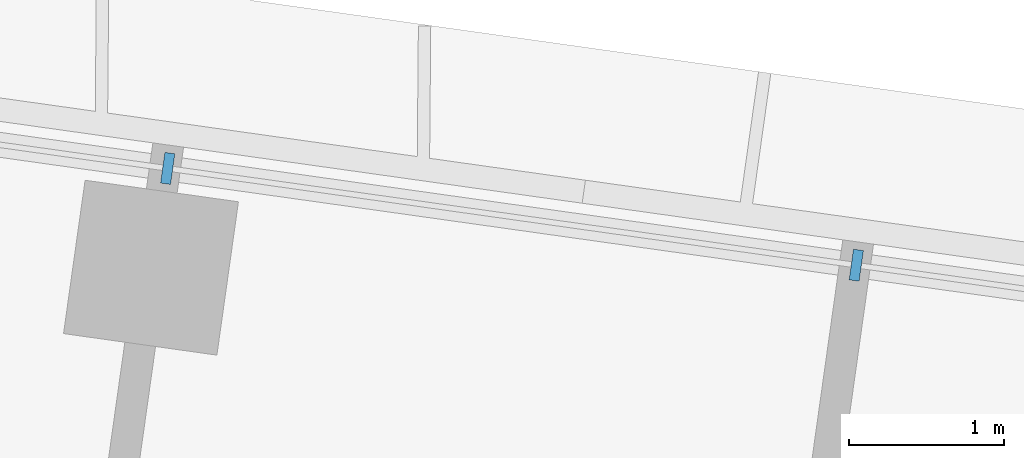
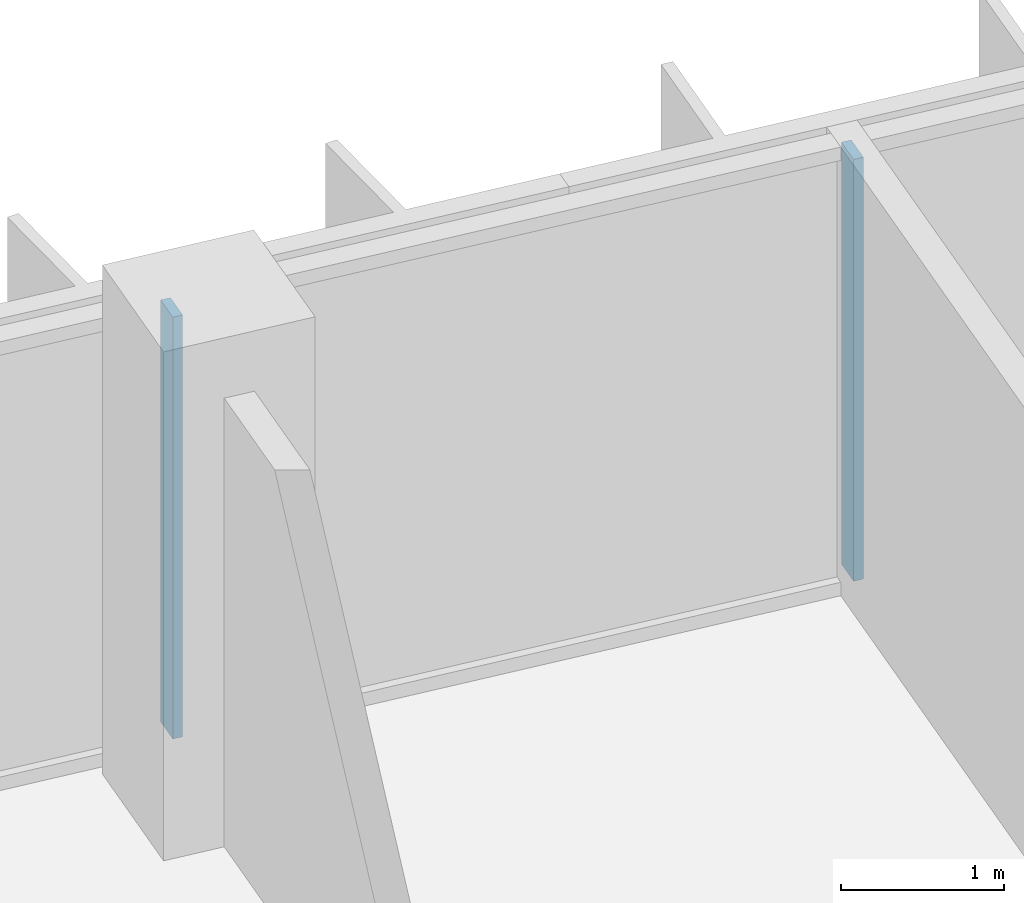
# One storey, part 3 of 25: 2 members, 1 element without a shape of its own.
"""IFC4 building model written with IfcOpenShell, lengths in metres."""

from ifc_helpers import new_model, si_unit, direction, frame, origin, origin_2d, place, context, subcontext, project, spatial, rectangle, extrude, material, material_profile, profile_set, type_object, element, aggregate, save


model = new_model("IFC4")

# Units and contexts
model_context = context("Model", 3, precision=1e-05, world=origin(), true_north=direction((0.0, 1.0)))
body_context = subcontext(model_context, "Body", "Model", "MODEL_VIEW")
ifc_project = project(units=[si_unit("LENGTHUNIT", "METRE"), si_unit("AREAUNIT", "SQUARE_METRE"), si_unit("VOLUMEUNIT", "CUBIC_METRE"), si_unit("PLANEANGLEUNIT", "RADIAN"), si_unit("MASSUNIT", "GRAM", prefix="KILO")], contexts=[model_context])

# Site, building, storey
site_placement = place(None, origin())
site = spatial("IfcSite", under=ifc_project, at=site_placement, CompositionType="ELEMENT")
building_placement = place(site_placement, origin())
building = spatial("IfcBuilding", under=site, at=building_placement, Name="Mirante Cascada Hotel Towers", CompositionType="ELEMENT")
storey_placement = place(building_placement, frame((0.0, 0.0, 69.9)))
storey = spatial("IfcBuildingStorey", under=building, at=storey_placement, Name="L14", CompositionType="ELEMENT", Elevation=69.9)

# Curtain wall, members
ifc_material_1 = material(Name="Aluminium mullion and transom frame with clear laminated glass", Category="aluminium")
curtain_wall_type = type_object("IfcCurtainWallType", Name="Ribbon curtain wall ECW1", PredefinedType="NOTDEFINED", material=ifc_material_1)
curtain_wall_placement = place(storey_placement, origin())
curtain_wall = element("IfcCurtainWall", 1, at=curtain_wall_placement, inside=storey, type_object=curtain_wall_type, Name="Front ribbon wall T1 L14", PredefinedType="NOTDEFINED")
ifc_material_2 = material(Name="Anodised aluminium extrusion", Category="aluminium")
ifc_material_profile = material_profile(ifc_material_2, rectangle(XDim=0.2, YDim=0.065, at=origin_2d()), Name="ECW1 MULLION 65x200")
ifc_profile_set = profile_set([ifc_material_profile], Name="Anodised aluminium extrusion")
member_type = type_object("IfcMemberType", Name="ECW1 mullion 65x200", PredefinedType="MULLION", material=ifc_profile_set)
member_1_placement = place(storey_placement, frame((-71.9211, 22.9269, 0.1), z_axis=(0.0, 0.0, 1.0), x_axis=(0.1391731, 0.9902681, 0.0)))
member_1 = element("IfcMember", 2, at=member_1_placement, type_object=member_type, Name="ECW1 mullion 6", PredefinedType="MULLION", context=body_context, shape_type="SweptSolid", body=[
    extrude(rectangle(XDim=0.2, YDim=0.065, at=origin_2d()), origin(), (0.0, 0.0, 1.0), 3.15),
])
member_2_placement = place(storey_placement, frame((-67.4737, 22.3018, 0.1), z_axis=(0.0, 0.0, 1.0), x_axis=(0.1391731, 0.9902681, 0.0)))
member_2 = element("IfcMember", 3, at=member_2_placement, type_object=member_type, Name="ECW1 mullion 7", PredefinedType="MULLION", context=body_context, shape_type="SweptSolid", body=[
    extrude(rectangle(XDim=0.2, YDim=0.065, at=origin_2d()), origin(), (0.0, 0.0, 1.0), 3.15),
])
aggregate(curtain_wall, [member_1, member_2])

save(model, "model.ifc")
